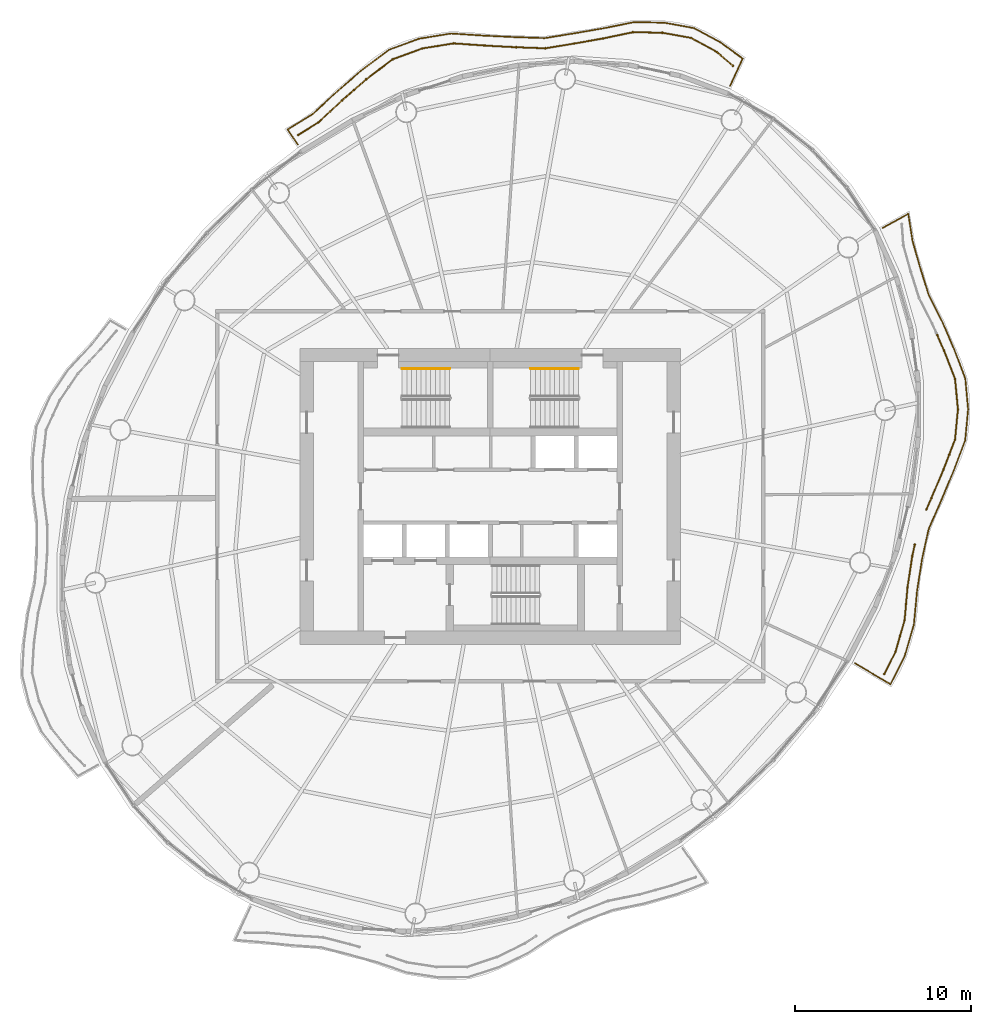
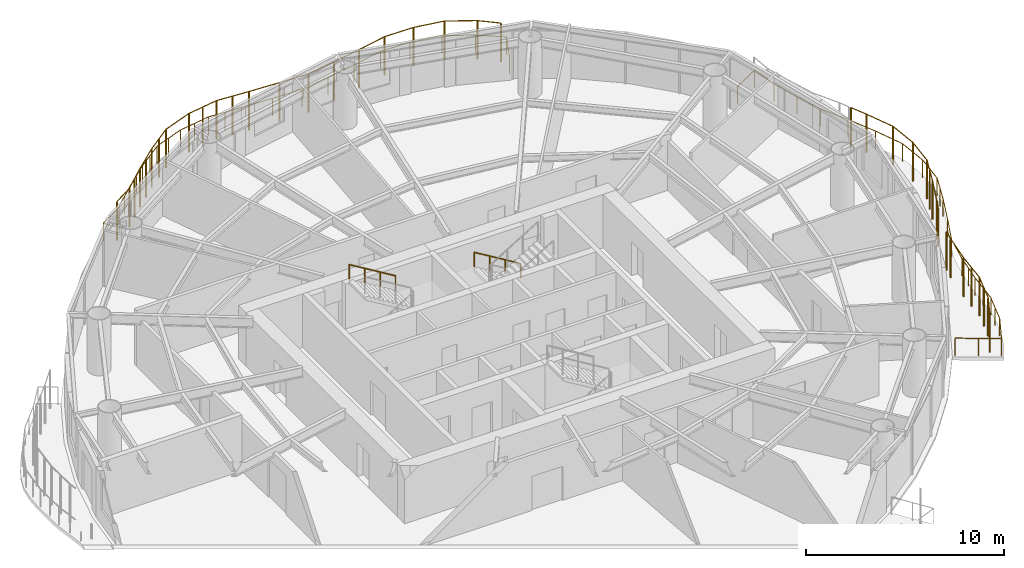
# One storey, part 14 of 15: 7 railings.
"""IFC4 building model written with IfcOpenShell, lengths in metres."""

from ifc_helpers import new_model, si_unit, direction, frame, origin, origin_2d, place, context, subcontext, project, spatial, circle, extrude, material, type_object, element, save


model = new_model("IFC4")

# Units and contexts
model_context = context("Model", 3, precision=1e-05, world=origin(), true_north=direction((0.0, 1.0)))
body_context = subcontext(model_context, "Body", "Model", "MODEL_VIEW")
ifc_project = project(units=[si_unit("LENGTHUNIT", "METRE"), si_unit("AREAUNIT", "SQUARE_METRE"), si_unit("VOLUMEUNIT", "CUBIC_METRE"), si_unit("PLANEANGLEUNIT", "RADIAN"), si_unit("MASSUNIT", "GRAM", prefix="KILO")], contexts=[model_context])

# Site, building, storey
site_placement = place(None, origin())
site = spatial("IfcSite", under=ifc_project, at=site_placement, CompositionType="ELEMENT")
building_placement = place(site_placement, origin())
building = spatial("IfcBuilding", under=site, at=building_placement, Name="Vermilion Reach Broadcast Tower", CompositionType="ELEMENT")
storey_placement = place(building_placement, frame((0.0, 0.0, 220.89990234375)))
storey = spatial("IfcBuildingStorey", under=building, at=storey_placement, Name="L54", CompositionType="ELEMENT", Elevation=220.89990234375)

# Railings
ifc_material_1 = material(Name="Terracotta baguette", Category="masonry")
railing_type_1 = type_object("IfcRailingType", Name="BAGUETTE SCREEN", PredefinedType="USERDEFINED", material=ifc_material_1)
railing_1_placement = place(storey_placement, frame((7.784423828125, 24.45166015625, 0.0)))
element("IfcRailing", 1, at=railing_1_placement, inside=storey, type_object=railing_type_1, Name="Baguette screen L54 group 1", ObjectType="BAGUETTE SCREEN", PredefinedType="USERDEFINED", context=body_context, shape_type="SweptSolid", body=[
    extrude(circle(Radius=0.030029296875, at=origin_2d()), frame((0.0, 0.0, 2.369873046875), z_axis=(-0.760574182848, 0.649251039572, 0.0), x_axis=(-0.649251039572, -0.760574182848, 0.0)), (0.0, 0.0, 1.0), 1.215087890625),
    extrude(circle(Radius=0.030029296875, at=origin_2d()), frame((-0.924072265625, 0.788818359375, 2.369873046875), z_axis=(-0.877121441834, 0.480268650107, 0.0), x_axis=(-0.480268650107, -0.877121441834, 0.0)), (0.0, 0.0, 1.0), 1.653564453125),
    extrude(circle(Radius=0.030029296875, at=origin_2d()), frame((-2.37451171875, 1.5830078125, 2.369873046875), z_axis=(-0.984158830992, 0.177289016522, 0.0), x_axis=(-0.177289016522, -0.984158830992, 0.0)), (0.0, 0.0, 1.0), 1.6689453125),
    extrude(circle(Radius=0.030029296875, at=origin_2d()), frame((-4.01708984375, 1.87890625, 2.369873046875), z_axis=(-0.999853007485, 0.017145361553, 0.0), x_axis=(-0.017145361553, -0.999853007485, 0.0)), (0.0, 0.0, 1.0), 1.666015625),
    extrude(circle(Radius=0.030029296875, at=origin_2d()), frame((-5.682861328125, 1.907470703125, 2.369873046875), z_axis=(-0.978903189052, -0.20432461052, 0.0), x_axis=(0.20432461052, -0.978903189052, 0.0)), (0.0, 0.0, 1.0), 1.7373046875),
    extrude(circle(Radius=0.030029296875, at=origin_2d()), frame((-7.383544921875, 1.552490234375, 2.369873046875), z_axis=(-0.984603649472, -0.1748017547, 0.0), x_axis=(0.1748017547, -0.984603649472, 0.0)), (0.0, 0.0, 1.0), 1.657958984375),
    extrude(circle(Radius=0.030029296875, at=origin_2d()), frame((-9.015869140625, 1.2626953125, 2.369873046875), z_axis=(-0.986678911328, -0.162679826472, 0.0), x_axis=(0.162679826472, -0.986678911328, 0.0)), (0.0, 0.0, 1.0), 1.658203125),
    extrude(circle(Radius=0.030029296875, at=origin_2d()), frame((-10.652099609375, 0.992919921875, 2.369873046875), z_axis=(-0.999317853685, 0.036930032579, 0.0), x_axis=(-0.036930032579, -0.999317853685, 0.0)), (0.0, 0.0, 1.0), 1.659423828125),
    extrude(circle(Radius=0.030029296875, at=origin_2d()), frame((-12.310302734375, 1.05419921875, 2.369873046875), z_axis=(-0.998624387869, 0.052434072452, 0.0), x_axis=(-0.052434072452, -0.998624387869, 0.0)), (0.0, 0.0, 1.0), 1.74609375),
    extrude(circle(Radius=0.030029296875, at=origin_2d()), frame((-14.053955078125, 1.145751953125, 2.369873046875), z_axis=(-0.997499611253, 0.070671957314, 0.0), x_axis=(-0.070671957314, -0.997499611253, 0.0)), (0.0, 0.0, 1.0), 1.810302734375),
    extrude(circle(Radius=0.030029296875, at=origin_2d()), frame((-15.859619140625, 1.273681640625, 2.369873046875), z_axis=(-0.987326592362, -0.158701606843, 0.0), x_axis=(0.158701606843, -0.987326592362, 0.0)), (0.0, 0.0, 1.0), 1.8076171875),
    extrude(circle(Radius=0.030029296875, at=origin_2d()), frame((-17.644287109375, 0.98681640625, 2.369873046875), z_axis=(-0.93846382674, -0.345377541106, 0.0), x_axis=(0.345377541106, -0.93846382674, 0.0)), (0.0, 0.0, 1.0), 1.794677734375),
    extrude(circle(Radius=0.030029296875, at=origin_2d()), frame((-19.32861328125, 0.366943359375, 2.369873046875), z_axis=(-0.797737480171, -0.603004902742, 0.0), x_axis=(0.603004902742, -0.797737480171, 0.0)), (0.0, 0.0, 1.0), 1.869384765625),
    extrude(circle(Radius=0.030029296875, at=origin_2d()), frame((-20.81982421875, -0.76025390625, 2.369873046875), z_axis=(-0.753313822037, -0.657661223981, 0.0), x_axis=(0.657661223981, -0.753313822037, 0.0)), (0.0, 0.0, 1.0), 1.845458984375),
    extrude(circle(Radius=0.030029296875, at=origin_2d()), frame((-22.2099609375, -1.973876953125, 2.369873046875), z_axis=(-0.731898543952, -0.681413619882, 0.0), x_axis=(0.681413619882, -0.731898543952, 0.0)), (0.0, 0.0, 1.0), 1.837646484375),
    extrude(circle(Radius=0.030029296875, at=origin_2d()), frame((-23.554931640625, -3.22607421875, 2.369873046875), z_axis=(-0.850527339493, -0.525930836494, 0.0), x_axis=(0.525930836494, -0.850527339493, 0.0)), (0.0, 0.0, 1.0), 1.3291015625),
    extrude(circle(Radius=0.050048828125, at=origin_2d()), origin(), (0.0, 0.0, 1.0), 2.33984375),
    extrude(circle(Radius=0.050048828125, at=origin_2d()), frame((-0.924072265625, 0.788818359375, 0.0)), (0.0, 0.0, 1.0), 2.33984375),
    extrude(circle(Radius=0.050048828125, at=origin_2d()), frame((-2.37451171875, 1.5830078125, 0.0)), (0.0, 0.0, 1.0), 2.33984375),
    extrude(circle(Radius=0.050048828125, at=origin_2d()), frame((-4.01708984375, 1.87890625, 0.0)), (0.0, 0.0, 1.0), 2.33984375),
    extrude(circle(Radius=0.050048828125, at=origin_2d()), frame((-5.682861328125, 1.907470703125, 0.0)), (0.0, 0.0, 1.0), 2.33984375),
    extrude(circle(Radius=0.050048828125, at=origin_2d()), frame((-7.383544921875, 1.552490234375, 0.0)), (0.0, 0.0, 1.0), 2.33984375),
    extrude(circle(Radius=0.050048828125, at=origin_2d()), frame((-9.015869140625, 1.2626953125, 0.0)), (0.0, 0.0, 1.0), 2.33984375),
    extrude(circle(Radius=0.050048828125, at=origin_2d()), frame((-10.652099609375, 0.992919921875, 0.0)), (0.0, 0.0, 1.0), 2.33984375),
    extrude(circle(Radius=0.050048828125, at=origin_2d()), frame((-12.310302734375, 1.05419921875, 0.0)), (0.0, 0.0, 1.0), 2.33984375),
    extrude(circle(Radius=0.050048828125, at=origin_2d()), frame((-14.053955078125, 1.145751953125, 0.0)), (0.0, 0.0, 1.0), 2.33984375),
    extrude(circle(Radius=0.050048828125, at=origin_2d()), frame((-14.956787109375, 1.209716796875, 0.0)), (0.0, 0.0, 1.0), 2.33984375),
    extrude(circle(Radius=0.050048828125, at=origin_2d()), frame((-15.859619140625, 1.273681640625, 0.0)), (0.0, 0.0, 1.0), 2.33984375),
    extrude(circle(Radius=0.050048828125, at=origin_2d()), frame((-16.751953125, 1.13037109375, 0.0)), (0.0, 0.0, 1.0), 2.33984375),
    extrude(circle(Radius=0.050048828125, at=origin_2d()), frame((-17.644287109375, 0.98681640625, 0.0)), (0.0, 0.0, 1.0), 2.33984375),
    extrude(circle(Radius=0.050048828125, at=origin_2d()), frame((-19.32861328125, 0.366943359375, 0.0)), (0.0, 0.0, 1.0), 2.33984375),
    extrude(circle(Radius=0.050048828125, at=origin_2d()), frame((-20.07421875, -0.19677734375, 0.0)), (0.0, 0.0, 1.0), 2.33984375),
    extrude(circle(Radius=0.050048828125, at=origin_2d()), frame((-20.81982421875, -0.76025390625, 0.0)), (0.0, 0.0, 1.0), 2.33984375),
    extrude(circle(Radius=0.050048828125, at=origin_2d()), frame((-21.514892578125, -1.3671875, 0.0)), (0.0, 0.0, 1.0), 2.33984375),
    extrude(circle(Radius=0.050048828125, at=origin_2d()), frame((-22.2099609375, -1.973876953125, 0.0)), (0.0, 0.0, 1.0), 2.33984375),
    extrude(circle(Radius=0.050048828125, at=origin_2d()), frame((-22.88232421875, -2.60009765625, 0.0)), (0.0, 0.0, 1.0), 2.33984375),
    extrude(circle(Radius=0.050048828125, at=origin_2d()), frame((-23.554931640625, -3.22607421875, 0.0)), (0.0, 0.0, 1.0), 2.33984375),
    extrude(circle(Radius=0.050048828125, at=origin_2d()), frame((-24.685302734375, -3.925048828125, 0.0)), (0.0, 0.0, 1.0), 2.33984375),
])
railing_2_placement = place(storey_placement, frame((16.37890625, -10.079345703125, 0.0)))
element("IfcRailing", 2, at=railing_2_placement, inside=storey, type_object=railing_type_1, Name="Baguette screen L54 group 4 part 1", ObjectType="BAGUETTE SCREEN", PredefinedType="USERDEFINED", context=body_context, shape_type="SweptSolid", body=[
    extrude(circle(Radius=0.030029296875, at=origin_2d()), frame((0.0, 0.0, 2.369873046875), z_axis=(0.451877891056, 0.892079801125, 0.0), x_axis=(-0.892079801125, 0.451877891056, 0.0)), (0.0, 0.0, 1.0), 1.40087890625),
    extrude(circle(Radius=0.030029296875, at=origin_2d()), frame((0.633056640625, 1.249755859375, 2.369873046875), z_axis=(0.277084113875, 0.960845665983, 0.0), x_axis=(-0.960845665983, 0.277084113875, 0.0)), (0.0, 0.0, 1.0), 1.868896484375),
    extrude(circle(Radius=0.030029296875, at=origin_2d()), frame((1.15087890625, 3.04541015625, 2.369873046875), z_axis=(0.088341856838, 0.996090214956, 0.0), x_axis=(-0.996090214956, 0.088341856838, 0.0)), (0.0, 0.0, 1.0), 1.87646484375),
    extrude(circle(Radius=0.030029296875, at=origin_2d()), frame((1.316650390625, 4.91455078125, 2.369873046875), z_axis=(0.149861726341, 0.988706965171, 0.0), x_axis=(-0.988706965171, 0.149861726341, 0.0)), (0.0, 0.0, 1.0), 1.796875),
    extrude(circle(Radius=0.030029296875, at=origin_2d()), frame((1.5859375, 6.691162109375, 2.369873046875), z_axis=(0.214965863607, 0.976621563086, 0.0), x_axis=(-0.976621563086, 0.214965863607, 0.0)), (0.0, 0.0, 1.0), 0.671142578125),
    extrude(circle(Radius=0.050048828125, at=origin_2d()), origin(), (0.0, 0.0, 1.0), 2.33984375),
    extrude(circle(Radius=0.050048828125, at=origin_2d()), frame((0.633056640625, 1.249755859375, 0.0)), (0.0, 0.0, 1.0), 2.33984375),
    extrude(circle(Radius=0.050048828125, at=origin_2d()), frame((0.89208984375, 2.1474609375, 0.0)), (0.0, 0.0, 1.0), 2.33984375),
    extrude(circle(Radius=0.050048828125, at=origin_2d()), frame((1.15087890625, 3.04541015625, 0.0)), (0.0, 0.0, 1.0), 2.33984375),
    extrude(circle(Radius=0.050048828125, at=origin_2d()), frame((1.23388671875, 3.97998046875, 0.0)), (0.0, 0.0, 1.0), 2.33984375),
    extrude(circle(Radius=0.050048828125, at=origin_2d()), frame((1.316650390625, 4.91455078125, 0.0)), (0.0, 0.0, 1.0), 2.33984375),
    extrude(circle(Radius=0.050048828125, at=origin_2d()), frame((1.5859375, 6.691162109375, 0.0)), (0.0, 0.0, 1.0), 2.33984375),
    extrude(circle(Radius=0.050048828125, at=origin_2d()), frame((1.730224609375, 7.3466796875, 0.0)), (0.0, 0.0, 1.0), 2.33984375),
])
railing_3_placement = place(storey_placement, frame((18.767578125, -0.733154296875, 0.0)))
element("IfcRailing", 3, at=railing_3_placement, inside=storey, type_object=railing_type_1, Name="Baguette screen L54 group 4 part 2", ObjectType="BAGUETTE SCREEN", PredefinedType="USERDEFINED", context=body_context, shape_type="SweptSolid", body=[
    extrude(circle(Radius=0.030029296875, at=origin_2d()), frame((0.0, 0.0, 2.369873046875), z_axis=(0.405716188867, 0.913999110553, 0.0), x_axis=(-0.913999110553, 0.405716188867, 0.0)), (0.0, 0.0, 1.0), 0.697509765625),
    extrude(circle(Radius=0.030029296875, at=origin_2d()), frame((0.282958984375, 0.637451171875, 2.369873046875), z_axis=(0.390894505493, 0.920435486917, 0.0), x_axis=(-0.920435486917, 0.390894505493, 0.0)), (0.0, 0.0, 1.0), 1.764404296875),
    extrude(circle(Radius=0.030029296875, at=origin_2d()), frame((0.97265625, 2.261474609375, 2.369873046875), z_axis=(0.359629092523, 0.933095341222, 0.0), x_axis=(-0.933095341222, 0.359629092523, 0.0)), (0.0, 0.0, 1.0), 1.81201171875),
    extrude(circle(Radius=0.030029296875, at=origin_2d()), frame((1.624267578125, 3.9521484375, 2.369873046875), z_axis=(0.09575013586, 0.995405400569, 0.0), x_axis=(-0.995405400569, 0.09575013586, 0.0)), (0.0, 0.0, 1.0), 1.72607421875),
    extrude(circle(Radius=0.030029296875, at=origin_2d()), frame((1.78955078125, 5.67041015625, 2.369873046875), z_axis=(-0.092759880804, 0.995688507774, 0.0), x_axis=(-0.995688507774, -0.092759880804, 0.0)), (0.0, 0.0, 1.0), 1.73193359375),
    extrude(circle(Radius=0.030029296875, at=origin_2d()), frame((1.62890625, 7.394775390625, 2.369873046875), z_axis=(-0.363106499972, 0.931747642701, 0.0), x_axis=(-0.931747642701, -0.363106499972, 0.0)), (0.0, 0.0, 1.0), 1.730712890625),
    extrude(circle(Radius=0.030029296875, at=origin_2d()), frame((1.00048828125, 9.00732421875, 2.369873046875), z_axis=(-0.40138713359, 0.915908493785, 0.0), x_axis=(-0.915908493785, -0.40138713359, 0.0)), (0.0, 0.0, 1.0), 0.968994140625),
    extrude(circle(Radius=0.050048828125, at=origin_2d()), origin(), (0.0, 0.0, 1.0), 2.33984375),
    extrude(circle(Radius=0.050048828125, at=origin_2d()), frame((0.282958984375, 0.637451171875, 0.0)), (0.0, 0.0, 1.0), 2.33984375),
    extrude(circle(Radius=0.050048828125, at=origin_2d()), frame((0.97265625, 2.261474609375, 0.0)), (0.0, 0.0, 1.0), 2.33984375),
    extrude(circle(Radius=0.050048828125, at=origin_2d()), frame((1.29833984375, 3.10693359375, 0.0)), (0.0, 0.0, 1.0), 2.33984375),
    extrude(circle(Radius=0.050048828125, at=origin_2d()), frame((1.624267578125, 3.9521484375, 0.0)), (0.0, 0.0, 1.0), 2.33984375),
    extrude(circle(Radius=0.050048828125, at=origin_2d()), frame((1.78955078125, 5.67041015625, 0.0)), (0.0, 0.0, 1.0), 2.33984375),
    extrude(circle(Radius=0.050048828125, at=origin_2d()), frame((1.62890625, 7.394775390625, 0.0)), (0.0, 0.0, 1.0), 2.33984375),
    extrude(circle(Radius=0.050048828125, at=origin_2d()), frame((1.00048828125, 9.00732421875, 0.0)), (0.0, 0.0, 1.0), 2.33984375),
    extrude(circle(Radius=0.050048828125, at=origin_2d()), frame((0.611572265625, 9.894775390625, 0.0)), (0.0, 0.0, 1.0), 2.33984375),
])
ifc_material_2 = material(Name="Stainless steel 316 balustrade", Category="steel")
railing_type_2 = type_object("IfcRailingType", Name="Balcony guard 1100", PredefinedType="BALUSTRADE", material=ifc_material_2)
railing_4_placement = place(storey_placement, frame((7.6162109375, 23.30712890625, 0.0)))
element("IfcRailing", 4, at=railing_4_placement, inside=storey, type_object=railing_type_2, Name="Balcony guard L54 group 1", PredefinedType="BALUSTRADE", context=body_context, shape_type="SweptSolid", body=[
    extrude(circle(Radius=0.02490234375, at=origin_2d()), frame((0.0, 0.0, 1.0751953125), z_axis=(0.420881210755, 0.907115762422, 0.0), x_axis=(-0.907115762422, 0.420881210755, 0.0)), (0.0, 0.0, 1.0), 1.714599609375),
    extrude(circle(Radius=0.02490234375, at=origin_2d()), frame((0.7216796875, 1.555419921875, 1.0751953125), z_axis=(-0.810437660978, 0.585824886522, 0.0), x_axis=(-0.585824886522, -0.810437660978, 0.0)), (0.0, 0.0, 1.0), 1.57275390625),
    extrude(circle(Radius=0.02490234375, at=origin_2d()), frame((-0.552978515625, 2.476806640625, 1.0751953125), z_axis=(-0.879294478129, 0.476278511725, 0.0), x_axis=(-0.476278511725, -0.879294478129, 0.0)), (0.0, 0.0, 1.0), 1.6962890625),
    extrude(circle(Radius=0.02490234375, at=origin_2d()), frame((-2.04443359375, 3.28466796875, 1.0751953125), z_axis=(-0.983858501044, 0.178948176639, 0.0), x_axis=(-0.178948176639, -0.983858501044, 0.0)), (0.0, 0.0, 1.0), 1.712158203125),
    extrude(circle(Radius=0.02490234375, at=origin_2d()), frame((-3.72900390625, 3.591064453125, 1.0751953125), z_axis=(-0.999784914307, 0.020739458165, 0.0), x_axis=(-0.020739458165, -0.999784914307, 0.0)), (0.0, 0.0, 1.0), 1.70703125),
    extrude(circle(Radius=0.02490234375, at=origin_2d()), frame((-5.435546875, 3.62646484375, 1.0751953125), z_axis=(-0.980336798839, -0.197331601224, 0.0), x_axis=(0.197331601224, -0.980336798839, 0.0)), (0.0, 0.0, 1.0), 1.776611328125),
    extrude(circle(Radius=0.02490234375, at=origin_2d()), frame((-7.17724609375, 3.27587890625, 1.0751953125), z_axis=(-0.985420197309, -0.170138281218, 0.0), x_axis=(0.170138281218, -0.985420197309, 0.0)), (0.0, 0.0, 1.0), 1.696044921875),
    extrude(circle(Radius=0.02490234375, at=origin_2d()), frame((-8.8486328125, 2.9873046875, 1.0751953125), z_axis=(-0.98714905271, -0.159802214419, 0.0), x_axis=(0.159802214419, -0.98714905271, 0.0)), (0.0, 0.0, 1.0), 1.697265625),
    extrude(circle(Radius=0.02490234375, at=origin_2d()), frame((-10.524169921875, 2.716064453125, 1.0751953125), z_axis=(-0.999422969781, 0.033966564065, 0.0), x_axis=(-0.033966564065, -0.999422969781, 0.0)), (0.0, 0.0, 1.0), 1.6962890625),
    extrude(circle(Radius=0.02490234375, at=origin_2d()), frame((-12.219482421875, 2.773681640625, 1.0751953125), z_axis=(-0.998850091797, 0.047942612744, 0.0), x_axis=(-0.047942612744, -0.998850091797, 0.0)), (0.0, 0.0, 1.0), 1.7822265625),
    extrude(circle(Radius=0.02490234375, at=origin_2d()), frame((-13.999755859375, 2.859130859375, 1.0751953125), z_axis=(-0.997893356298, 0.064875646091, 0.0), x_axis=(-0.064875646091, -0.997893356298, 0.0)), (0.0, 0.0, 1.0), 1.843994140625),
    extrude(circle(Radius=0.02490234375, at=origin_2d()), frame((-15.83984375, 2.978759765625, 1.0751953125), z_axis=(-0.98693975891, -0.161089764676, 0.0), x_axis=(0.161089764676, -0.98693975891, 0.0)), (0.0, 0.0, 1.0), 1.843017578125),
    extrude(circle(Radius=0.02490234375, at=origin_2d()), frame((-17.65869140625, 2.681884765625, 1.0751953125), z_axis=(-0.938441108845, -0.345439264169, 0.0), x_axis=(0.345439264169, -0.938441108845, 0.0)), (0.0, 0.0, 1.0), 1.828369140625),
    extrude(circle(Radius=0.02490234375, at=origin_2d()), frame((-19.37451171875, 2.05029296875, 1.0751953125), z_axis=(-0.800307902763, -0.599589243379, 0.0), x_axis=(0.599589243379, -0.800307902763, 0.0)), (0.0, 0.0, 1.0), 1.90234375),
    extrude(circle(Radius=0.02490234375, at=origin_2d()), frame((-20.89697265625, 0.90966796875, 1.0751953125), z_axis=(-0.756190959817, -0.654351000833, 0.0), x_axis=(0.654351000833, -0.756190959817, 0.0)), (0.0, 0.0, 1.0), 1.877197265625),
    extrude(circle(Radius=0.02490234375, at=origin_2d()), frame((-22.31640625, -0.318603515625, 1.0751953125), z_axis=(-0.734628173338, -0.678469930754, 0.0), x_axis=(0.678469930754, -0.734628173338, 0.0)), (0.0, 0.0, 1.0), 1.869384765625),
    extrude(circle(Radius=0.02490234375, at=origin_2d()), frame((-23.689697265625, -1.5869140625, 1.0751953125), z_axis=(-0.85068026701, -0.525683444023, 0.0), x_axis=(0.525683444023, -0.85068026701, 0.0)), (0.0, 0.0, 1.0), 1.69091796875),
    extrude(circle(Radius=0.02490234375, at=origin_2d()), frame((-25.128173828125, -2.475830078125, 1.0751953125), z_axis=(0.568370534887, -0.822772711672, 0.0), x_axis=(0.822772711672, 0.568370534887, 0.0)), (0.0, 0.0, 1.0), 1.02880859375),
    extrude(circle(Radius=0.02490234375, at=origin_2d()), origin(), (0.0, 0.0, 1.0), 1.050048828125),
    extrude(circle(Radius=0.02490234375, at=origin_2d()), frame((0.7216796875, 1.555419921875, 0.0)), (0.0, 0.0, 1.0), 1.050048828125),
    extrude(circle(Radius=0.02490234375, at=origin_2d()), frame((-0.552978515625, 2.476806640625, 0.0)), (0.0, 0.0, 1.0), 1.050048828125),
    extrude(circle(Radius=0.02490234375, at=origin_2d()), frame((-2.04443359375, 3.28466796875, 0.0)), (0.0, 0.0, 1.0), 1.050048828125),
    extrude(circle(Radius=0.02490234375, at=origin_2d()), frame((-3.72900390625, 3.591064453125, 0.0)), (0.0, 0.0, 1.0), 1.050048828125),
    extrude(circle(Radius=0.02490234375, at=origin_2d()), frame((-5.435546875, 3.62646484375, 0.0)), (0.0, 0.0, 1.0), 1.050048828125),
    extrude(circle(Radius=0.02490234375, at=origin_2d()), frame((-7.17724609375, 3.27587890625, 0.0)), (0.0, 0.0, 1.0), 1.050048828125),
    extrude(circle(Radius=0.02490234375, at=origin_2d()), frame((-8.8486328125, 2.9873046875, 0.0)), (0.0, 0.0, 1.0), 1.050048828125),
    extrude(circle(Radius=0.02490234375, at=origin_2d()), frame((-10.524169921875, 2.716064453125, 0.0)), (0.0, 0.0, 1.0), 1.050048828125),
    extrude(circle(Radius=0.02490234375, at=origin_2d()), frame((-12.219482421875, 2.773681640625, 0.0)), (0.0, 0.0, 1.0), 1.050048828125),
    extrude(circle(Radius=0.02490234375, at=origin_2d()), frame((-13.999755859375, 2.859130859375, 0.0)), (0.0, 0.0, 1.0), 1.050048828125),
    extrude(circle(Radius=0.02490234375, at=origin_2d()), frame((-14.919921875, 2.9189453125, 0.0)), (0.0, 0.0, 1.0), 1.050048828125),
    extrude(circle(Radius=0.02490234375, at=origin_2d()), frame((-15.83984375, 2.978759765625, 0.0)), (0.0, 0.0, 1.0), 1.050048828125),
    extrude(circle(Radius=0.02490234375, at=origin_2d()), frame((-16.749267578125, 2.830322265625, 0.0)), (0.0, 0.0, 1.0), 1.050048828125),
    extrude(circle(Radius=0.02490234375, at=origin_2d()), frame((-17.65869140625, 2.681884765625, 0.0)), (0.0, 0.0, 1.0), 1.050048828125),
    extrude(circle(Radius=0.02490234375, at=origin_2d()), frame((-18.5166015625, 2.3662109375, 0.0)), (0.0, 0.0, 1.0), 1.050048828125),
    extrude(circle(Radius=0.02490234375, at=origin_2d()), frame((-19.37451171875, 2.05029296875, 0.0)), (0.0, 0.0, 1.0), 1.050048828125),
    extrude(circle(Radius=0.02490234375, at=origin_2d()), frame((-20.1357421875, 1.47998046875, 0.0)), (0.0, 0.0, 1.0), 1.050048828125),
    extrude(circle(Radius=0.02490234375, at=origin_2d()), frame((-20.89697265625, 0.90966796875, 0.0)), (0.0, 0.0, 1.0), 1.050048828125),
    extrude(circle(Radius=0.02490234375, at=origin_2d()), frame((-21.606689453125, 0.29541015625, 0.0)), (0.0, 0.0, 1.0), 1.050048828125),
    extrude(circle(Radius=0.02490234375, at=origin_2d()), frame((-22.31640625, -0.318603515625, 0.0)), (0.0, 0.0, 1.0), 1.050048828125),
    extrude(circle(Radius=0.02490234375, at=origin_2d()), frame((-23.0029296875, -0.95263671875, 0.0)), (0.0, 0.0, 1.0), 1.050048828125),
    extrude(circle(Radius=0.02490234375, at=origin_2d()), frame((-23.689697265625, -1.5869140625, 0.0)), (0.0, 0.0, 1.0), 1.050048828125),
    extrude(circle(Radius=0.02490234375, at=origin_2d()), frame((-25.128173828125, -2.475830078125, 0.0)), (0.0, 0.0, 1.0), 1.050048828125),
    extrude(circle(Radius=0.02490234375, at=origin_2d()), frame((-24.54345703125, -3.322265625, 0.0)), (0.0, 0.0, 1.0), 1.050048828125),
])
railing_5_placement = place(storey_placement, frame((14.711669921875, -9.4775390625, 0.0)))
element("IfcRailing", 5, at=railing_5_placement, inside=storey, type_object=railing_type_2, Name="Balcony guard L54 group 4", PredefinedType="BALUSTRADE", context=body_context, shape_type="SweptSolid", body=[
    extrude(circle(Radius=0.02490234375, at=origin_2d()), frame((0.0, 0.0, 1.0751953125), z_axis=(0.861071907778, -0.508483204872, 0.0), x_axis=(0.508483204872, 0.861071907778, 0.0)), (0.0, 0.0, 1.0), 2.339599609375),
    extrude(circle(Radius=0.02490234375, at=origin_2d()), frame((2.0146484375, -1.189697265625, 1.0751953125), z_axis=(0.454068911103, 0.890966567257, 0.0), x_axis=(-0.890966567257, 0.454068911103, 0.0)), (0.0, 0.0, 1.0), 1.762939453125),
    extrude(circle(Radius=0.02490234375, at=origin_2d()), frame((2.815185546875, 0.381103515625, 1.0751953125), z_axis=(0.279856973154, 0.960041704603, 0.0), x_axis=(-0.960041704603, 0.279856973154, 0.0)), (0.0, 0.0, 1.0), 1.90087890625),
    extrude(circle(Radius=0.02490234375, at=origin_2d()), frame((3.34716796875, 2.2060546875, 1.0751953125), z_axis=(0.093546847884, 0.995614878982, 0.0), x_axis=(-0.995614878982, 0.093546847884, 0.0)), (0.0, 0.0, 1.0), 1.90771484375),
    extrude(circle(Radius=0.02490234375, at=origin_2d()), frame((3.525634765625, 4.10546875, 1.0751953125), z_axis=(0.153139690191, 0.988204551339, 0.0), x_axis=(-0.988204551339, 0.153139690191, 0.0)), (0.0, 0.0, 1.0), 1.830078125),
    extrude(circle(Radius=0.02490234375, at=origin_2d()), frame((3.805908203125, 5.9140625, 1.0751953125), z_axis=(0.216370926824, 0.976311232152, 0.0), x_axis=(-0.976311232152, 0.216370926824, 0.0)), (0.0, 0.0, 1.0), 1.755615234375),
    extrude(circle(Radius=0.02490234375, at=origin_2d()), frame((4.185791015625, 7.628173828125, 1.0751953125), z_axis=(0.402215045695, 0.915545223906, 0.0), x_axis=(-0.915545223906, 0.402215045695, 0.0)), (0.0, 0.0, 1.0), 1.79736328125),
    extrude(circle(Radius=0.02490234375, at=origin_2d()), frame((4.90869140625, 9.273681640625, 1.0751953125), z_axis=(0.386436209198, 0.92231613681, 0.0), x_axis=(-0.92231613681, 0.386436209198, 0.0)), (0.0, 0.0, 1.0), 1.798583984375),
    extrude(circle(Radius=0.02490234375, at=origin_2d()), frame((5.603759765625, 10.9326171875, 1.0751953125), z_axis=(0.354610422587, 0.935014143312, 0.0), x_axis=(-0.935014143312, 0.354610422587, 0.0)), (0.0, 0.0, 1.0), 1.847900390625),
    extrude(circle(Radius=0.02490234375, at=origin_2d()), frame((6.259033203125, 12.660400390625, 1.0751953125), z_axis=(0.094292879689, 0.995544500683, 0.0), x_axis=(-0.995544500683, 0.094292879689, 0.0)), (0.0, 0.0, 1.0), 1.76318359375),
    extrude(circle(Radius=0.02490234375, at=origin_2d()), frame((6.42529296875, 14.415771484375, 1.0751953125), z_axis=(-0.091405855998, 0.995813722284, 0.0), x_axis=(-0.995813722284, -0.091405855998, 0.0)), (0.0, 0.0, 1.0), 1.770751953125),
    extrude(circle(Radius=0.02490234375, at=origin_2d()), frame((6.263427734375, 16.17919921875, 1.0751953125), z_axis=(-0.357544804687, 0.933895985986, 0.0), x_axis=(-0.933895985986, -0.357544804687, 0.0)), (0.0, 0.0, 1.0), 1.7685546875),
    extrude(circle(Radius=0.02490234375, at=origin_2d()), frame((5.631103515625, 17.830810546875, 1.0751953125), z_axis=(-0.396400924669, 0.918077505944, 0.0), x_axis=(-0.918077505944, -0.396400924669, 0.0)), (0.0, 0.0, 1.0), 1.732421875),
    extrude(circle(Radius=0.02490234375, at=origin_2d()), frame((4.9443359375, 19.42138671875, 1.0751953125), z_axis=(-0.452613268093, 0.891706919086, 0.0), x_axis=(-0.891706919086, -0.452613268093, 0.0)), (0.0, 0.0, 1.0), 1.661376953125),
    extrude(circle(Radius=0.02490234375, at=origin_2d()), frame((4.1923828125, 20.90283203125, 1.0751953125), z_axis=(-0.30063068962, 0.953740629552, 0.0), x_axis=(-0.953740629552, -0.30063068962, 0.0)), (0.0, 0.0, 1.0), 1.6103515625),
    extrude(circle(Radius=0.02490234375, at=origin_2d()), frame((3.708251953125, 22.438720703125, 1.0751953125), z_axis=(-0.274256445159, 0.961656592703, 0.0), x_axis=(-0.961656592703, -0.274256445159, 0.0)), (0.0, 0.0, 1.0), 1.59619140625),
    extrude(circle(Radius=0.02490234375, at=origin_2d()), frame((3.2705078125, 23.9736328125, 1.0751953125), z_axis=(-0.156601404306, 0.987661885551, 0.0), x_axis=(-0.987661885551, -0.156601404306, 0.0)), (0.0, 0.0, 1.0), 1.56982421875),
    extrude(circle(Radius=0.02490234375, at=origin_2d()), frame((3.024658203125, 25.524169921875, 1.0751953125), z_axis=(-0.874875460109, -0.484347942393, 0.0), x_axis=(0.484347942393, -0.874875460109, 0.0)), (0.0, 0.0, 1.0), 1.66552734375),
    extrude(circle(Radius=0.02490234375, at=origin_2d()), origin(), (0.0, 0.0, 1.0), 1.050048828125),
    extrude(circle(Radius=0.02490234375, at=origin_2d()), frame((1.00732421875, -0.5947265625, 0.0)), (0.0, 0.0, 1.0), 1.050048828125),
    extrude(circle(Radius=0.02490234375, at=origin_2d()), frame((2.0146484375, -1.189697265625, 0.0)), (0.0, 0.0, 1.0), 1.050048828125),
    extrude(circle(Radius=0.02490234375, at=origin_2d()), frame((2.815185546875, 0.381103515625, 0.0)), (0.0, 0.0, 1.0), 1.050048828125),
    extrude(circle(Radius=0.02490234375, at=origin_2d()), frame((3.0810546875, 1.29345703125, 0.0)), (0.0, 0.0, 1.0), 1.050048828125),
    extrude(circle(Radius=0.02490234375, at=origin_2d()), frame((3.34716796875, 2.2060546875, 0.0)), (0.0, 0.0, 1.0), 1.050048828125),
    extrude(circle(Radius=0.02490234375, at=origin_2d()), frame((3.4365234375, 3.15576171875, 0.0)), (0.0, 0.0, 1.0), 1.050048828125),
    extrude(circle(Radius=0.02490234375, at=origin_2d()), frame((3.525634765625, 4.10546875, 0.0)), (0.0, 0.0, 1.0), 1.050048828125),
    extrude(circle(Radius=0.02490234375, at=origin_2d()), frame((3.665771484375, 5.009765625, 0.0)), (0.0, 0.0, 1.0), 1.050048828125),
    extrude(circle(Radius=0.02490234375, at=origin_2d()), frame((3.805908203125, 5.9140625, 0.0)), (0.0, 0.0, 1.0), 1.050048828125),
    extrude(circle(Radius=0.02490234375, at=origin_2d()), frame((4.185791015625, 7.628173828125, 0.0)), (0.0, 0.0, 1.0), 1.050048828125),
    extrude(circle(Radius=0.02490234375, at=origin_2d()), frame((4.90869140625, 9.273681640625, 0.0)), (0.0, 0.0, 1.0), 1.050048828125),
    extrude(circle(Radius=0.02490234375, at=origin_2d()), frame((5.603759765625, 10.9326171875, 0.0)), (0.0, 0.0, 1.0), 1.050048828125),
    extrude(circle(Radius=0.02490234375, at=origin_2d()), frame((5.931396484375, 11.79638671875, 0.0)), (0.0, 0.0, 1.0), 1.050048828125),
    extrude(circle(Radius=0.02490234375, at=origin_2d()), frame((6.259033203125, 12.660400390625, 0.0)), (0.0, 0.0, 1.0), 1.050048828125),
    extrude(circle(Radius=0.02490234375, at=origin_2d()), frame((6.42529296875, 14.415771484375, 0.0)), (0.0, 0.0, 1.0), 1.050048828125),
    extrude(circle(Radius=0.02490234375, at=origin_2d()), frame((6.263427734375, 16.17919921875, 0.0)), (0.0, 0.0, 1.0), 1.050048828125),
    extrude(circle(Radius=0.02490234375, at=origin_2d()), frame((5.631103515625, 17.830810546875, 0.0)), (0.0, 0.0, 1.0), 1.050048828125),
    extrude(circle(Radius=0.02490234375, at=origin_2d()), frame((4.9443359375, 19.42138671875, 0.0)), (0.0, 0.0, 1.0), 1.050048828125),
    extrude(circle(Radius=0.02490234375, at=origin_2d()), frame((4.1923828125, 20.90283203125, 0.0)), (0.0, 0.0, 1.0), 1.050048828125),
    extrude(circle(Radius=0.02490234375, at=origin_2d()), frame((3.708251953125, 22.438720703125, 0.0)), (0.0, 0.0, 1.0), 1.050048828125),
    extrude(circle(Radius=0.02490234375, at=origin_2d()), frame((3.2705078125, 23.9736328125, 0.0)), (0.0, 0.0, 1.0), 1.050048828125),
    extrude(circle(Radius=0.02490234375, at=origin_2d()), frame((3.024658203125, 25.524169921875, 0.0)), (0.0, 0.0, 1.0), 1.050048828125),
    extrude(circle(Radius=0.02490234375, at=origin_2d()), frame((1.567626953125, 24.717529296875, 0.0)), (0.0, 0.0, 1.0), 1.050048828125),
])
ifc_material_3 = material(Name="Stainless steel", Category="steel")
railing_type_3 = type_object("IfcRailingType", Name="Stair handrail", PredefinedType="HANDRAIL", material=ifc_material_3)
railing_6_placement = place(storey_placement, frame((-8.300048828125, 7.25, 1.963623046875)))
element("IfcRailing", 6, at=railing_6_placement, inside=storey, type_object=railing_type_3, Name="L54 ST1 stair handrail 2", PredefinedType="HANDRAIL", context=body_context, shape_type="SweptSolid", body=[
    extrude(circle(Radius=0.02392578125, at=origin_2d()), frame((0.0, 0.0, 0.8759765625), z_axis=(-0.855178096276, 0.0, 0.518334277904), x_axis=(0.0, -1.0, 0.0)), (0.0, 0.0, 1.0), 3.1572265625),
    extrude(circle(Radius=0.02099609375, at=origin_2d()), origin(), (0.0, 0.0, 1.0), 0.851806640625),
    extrude(circle(Radius=0.02099609375, at=origin_2d()), frame((-0.89990234375, 0.0, 0.54541015625)), (0.0, 0.0, 1.0), 0.851806640625),
    extrude(circle(Radius=0.02099609375, at=origin_2d()), frame((-1.800048828125, 0.0, 1.091064453125)), (0.0, 0.0, 1.0), 0.851806640625),
    extrude(circle(Radius=0.02099609375, at=origin_2d()), frame((-2.699951171875, 0.0, 1.636474609375)), (0.0, 0.0, 1.0), 0.851806640625),
])
railing_7_placement = place(storey_placement, frame((-1.0, 7.25, 0.163818359375)))
element("IfcRailing", 7, at=railing_7_placement, inside=storey, type_object=railing_type_3, Name="L54 ST2 stair handrail 1", PredefinedType="HANDRAIL", context=body_context, shape_type="SweptSolid", body=[
    extrude(circle(Radius=0.02392578125, at=origin_2d()), frame((0.0, 0.0, 0.8759765625), z_axis=(-0.855212373127, 0.0, 0.518277721738), x_axis=(0.0, -1.0, 0.0)), (0.0, 0.0, 1.0), 3.156982421875),
    extrude(circle(Radius=0.02099609375, at=origin_2d()), origin(), (0.0, 0.0, 1.0), 0.851806640625),
    extrude(circle(Radius=0.02099609375, at=origin_2d()), frame((-0.89990234375, 0.0, 0.54541015625)), (0.0, 0.0, 1.0), 0.851806640625),
    extrude(circle(Radius=0.02099609375, at=origin_2d()), frame((-1.800048828125, 0.0, 1.0908203125)), (0.0, 0.0, 1.0), 0.851806640625),
    extrude(circle(Radius=0.02099609375, at=origin_2d()), frame((-2.699951171875, 0.0, 1.63623046875)), (0.0, 0.0, 1.0), 0.851806640625),
])

save(model, "model.ifc")
